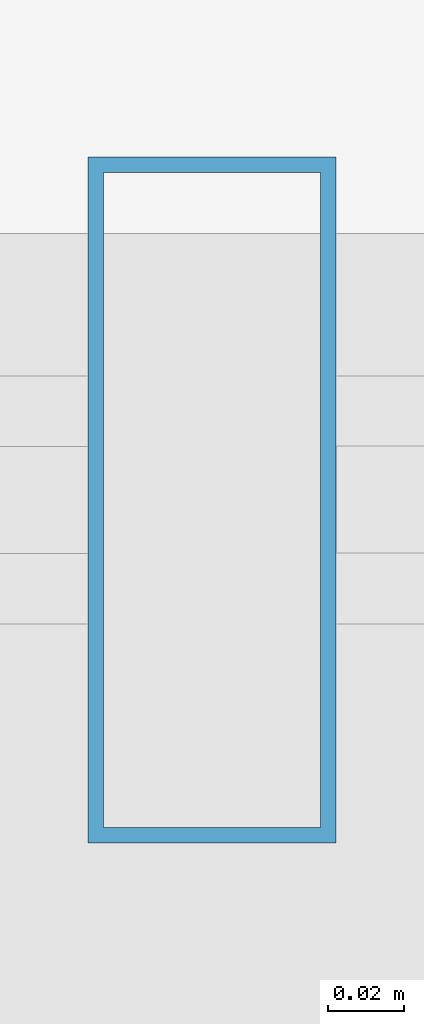
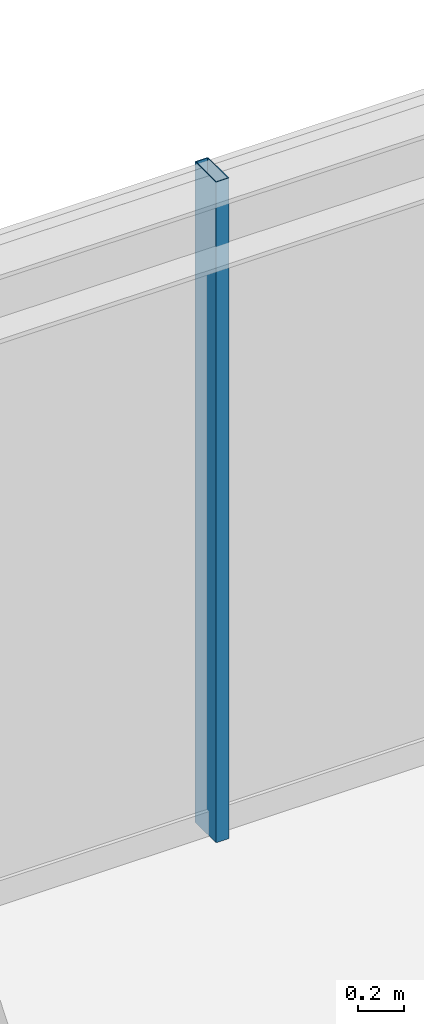
# One storey, part 23 of 34: 1 member, 1 element without a shape of its own.
"""IFC4 building model written with IfcOpenShell, lengths in metres."""

from ifc_helpers import new_model, si_unit, direction, frame, origin, origin_2d, place, context, subcontext, project, spatial, hollow_rectangle, extrude, source, transform, mapped, material, material_profile, profile_set, type_object, element, aggregate, save


model = new_model("IFC4")

# Units and contexts
model_context = context("Model", 3, precision=1e-05, world=origin(), true_north=direction((0.0, 1.0)))
body_context = subcontext(model_context, "Body", "Model", "MODEL_VIEW")
ifc_project = project(units=[si_unit("LENGTHUNIT", "METRE"), si_unit("AREAUNIT", "SQUARE_METRE"), si_unit("VOLUMEUNIT", "CUBIC_METRE"), si_unit("PLANEANGLEUNIT", "RADIAN"), si_unit("MASSUNIT", "GRAM", prefix="KILO")], contexts=[model_context])

# Site, building, storey
site_placement = place(None, origin())
site = spatial("IfcSite", under=ifc_project, at=site_placement, CompositionType="ELEMENT")
building_placement = place(site_placement, origin())
building = spatial("IfcBuilding", under=site, at=building_placement, Name="Nahalor Promenade Grand Hotel", CompositionType="ELEMENT")
storey_placement = place(building_placement, frame((0.0, 0.0, 334.75)))
storey = spatial("IfcBuildingStorey", under=building, at=storey_placement, Name="L86", CompositionType="ELEMENT", Elevation=334.75)

# Curtain wall, member
ifc_material = material(Name="Anodised Bronze Aluminium EN AW-6063 T6", Category="aluminium")
curtain_wall_type = type_object("IfcCurtainWallType", Name="CW2 Typical Hotel Flush Bronze Unitised Curtain Wall", PredefinedType="USERDEFINED", material=ifc_material)
curtain_wall_placement = place(storey_placement, origin())
curtain_wall = element("IfcCurtainWall", 1, at=curtain_wall_placement, inside=storey, type_object=curtain_wall_type, Name="L86 Curtain Wall CW-L86-N-3", ObjectType="UNITISED_CURTAIN_WALL", PredefinedType="USERDEFINED")
ifc_material_profile = material_profile(ifc_material, hollow_rectangle(XDim=0.065, YDim=0.18, WallThickness=0.004, at=origin_2d()), Name="CWM 65x180x4")
ifc_profile_set = profile_set([ifc_material_profile], Name="Anodised Bronze Aluminium EN AW-6063 T6")
member_type = type_object("IfcMemberType", Name="CWM2 Typical Bronze Mullion 65x180", PredefinedType="MULLION", material=ifc_profile_set)
shared_shape = source(origin(), body_context, "Body", "SweptSolid", [
    extrude(hollow_rectangle(XDim=0.065, YDim=0.18, WallThickness=0.004, at=origin_2d()), origin(), (0.0, 0.0, 1.0), 3.469970703125),
])
member_placement = place(storey_placement, frame((5.679931640625, 22.56005859375, 0.0), z_axis=(0.0, 0.0, 1.0), x_axis=(1.0, 0.0, 0.0)))
member = element("IfcMember", 2, at=member_placement, type_object=member_type, Name="CW-L86-N-3 Mullion 1", PredefinedType="MULLION", context=body_context, shape_type="MappedRepresentation", body=[
    mapped(shared_shape, transform((0.0, 0.0, 0.0), scale=1.0)),
])
aggregate(curtain_wall, [member])

save(model, "model.ifc")
